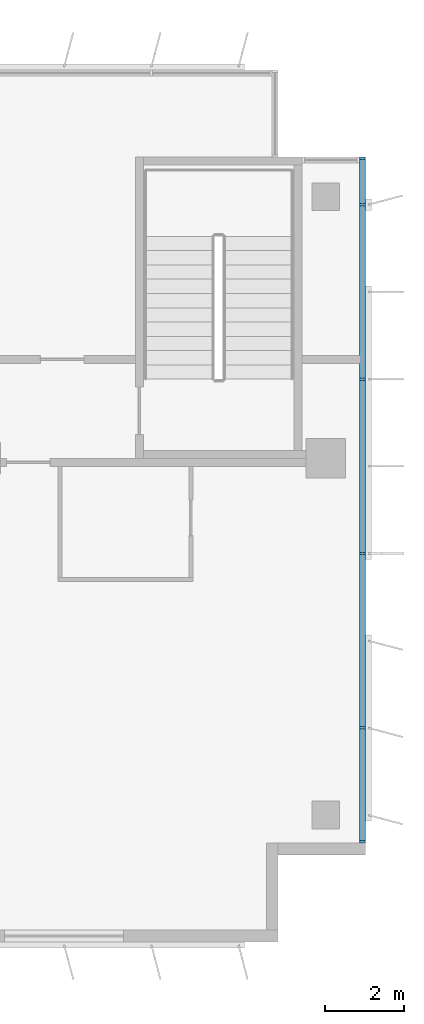
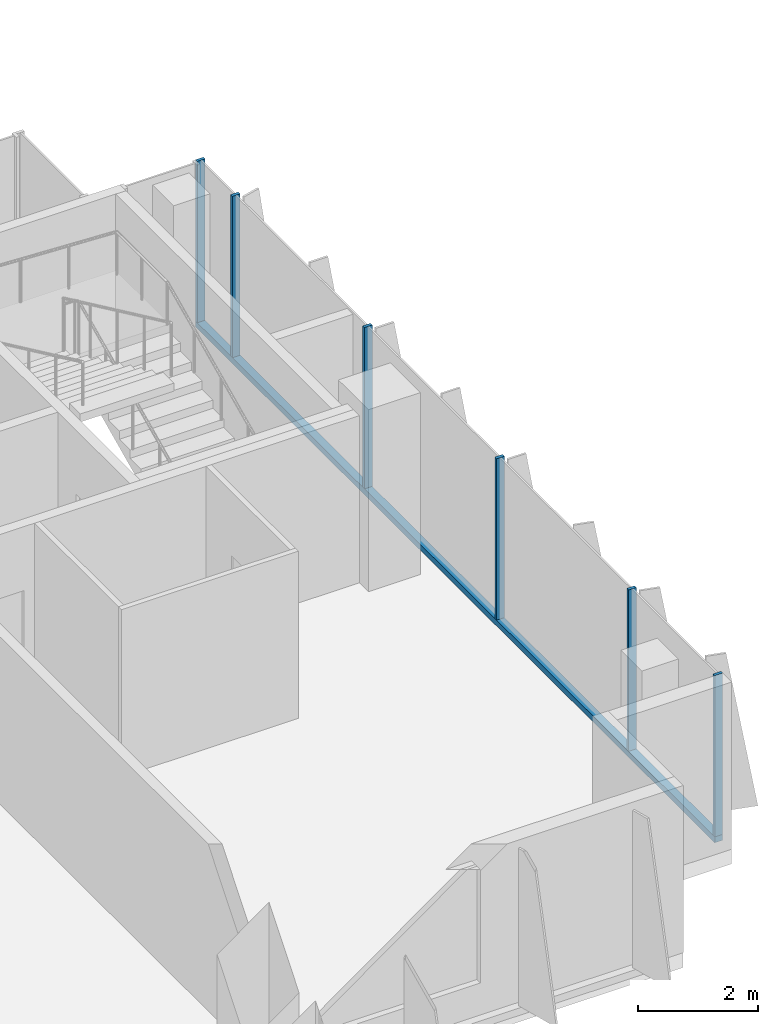
# One storey, part 8 of 21: 7 members, 1 element without a shape of its own.
"""IFC4 building model written with IfcOpenShell, lengths in metres."""

from ifc_helpers import new_model, si_unit, direction, frame, origin, origin_2d, place, context, subcontext, project, spatial, rectangle, extrude, source, transform, mapped, material, material_profile, profile_set, type_object, element, aggregate, save


model = new_model("IFC4")

# Units and contexts
model_context = context("Model", 3, precision=1e-05, world=origin(), true_north=direction((0.0, 1.0)))
body_context = subcontext(model_context, "Body", "Model", "MODEL_VIEW")
ifc_project = project(units=[si_unit("LENGTHUNIT", "METRE"), si_unit("AREAUNIT", "SQUARE_METRE"), si_unit("VOLUMEUNIT", "CUBIC_METRE"), si_unit("PLANEANGLEUNIT", "RADIAN"), si_unit("MASSUNIT", "GRAM", prefix="KILO")], contexts=[model_context])

# Site, building, storey
site_placement = place(None, origin())
site = spatial("IfcSite", under=ifc_project, at=site_placement, CompositionType="ELEMENT")
building_placement = place(site_placement, origin())
building = spatial("IfcBuilding", under=site, at=building_placement, Name="Kemantara Hotel Tower", CompositionType="ELEMENT")
storey_placement = place(building_placement, frame((0.0, 0.0, 167.89990234375)))
storey = spatial("IfcBuildingStorey", under=building, at=storey_placement, Name="L41", CompositionType="ELEMENT", Elevation=167.89990234375)

# Curtain wall, members
ifc_material_1 = material(Name="Low-E tinted double insulated glass 36 mm", Category="glass")
curtain_wall_type = type_object("IfcCurtainWallType", Name="TOWER CURTAIN WALL, FRONT FACES", PredefinedType="USERDEFINED", material=ifc_material_1)
curtain_wall_placement = place(storey_placement, origin())
curtain_wall = element("IfcCurtainWall", 1, at=curtain_wall_placement, inside=storey, type_object=curtain_wall_type, Name="CW4 L41 T3-R11-1", ObjectType="TOWER CURTAIN WALL, FRONT FACES", PredefinedType="USERDEFINED")
ifc_material_2 = material(Name="Aluminium 6063-T6 bronze anodised", Category="aluminium")
ifc_material_profile_1 = material_profile(ifc_material_2, rectangle(XDim=0.14990234375, YDim=0.1201171875, at=origin_2d()), Name="TOWER CURTAIN WALL, FRONT FACES TRANSOM")
ifc_profile_set_1 = profile_set([ifc_material_profile_1], Name="Aluminium 6063-T6 bronze anodised")
member_type_1 = type_object("IfcMemberType", Name="TOWER CURTAIN WALL, FRONT FACES TRANSOM", PredefinedType="USERDEFINED", material=ifc_profile_set_1)
member_1_placement = place(storey_placement, frame((63.52490234375, 2.5, 0.06005859375), z_axis=(0.0, 1.0, 0.0), x_axis=(-1.0, 0.0, 0.0)))
member_1 = element("IfcMember", 2, at=member_1_placement, type_object=member_type_1, Name="CW4 sill transom T3-R11-1", ObjectType="TRANSOM", PredefinedType="USERDEFINED", context=body_context, shape_type="SweptSolid", body=[
    extrude(rectangle(XDim=0.14990234375, YDim=0.1201171875, at=origin_2d()), origin(), (0.0, 0.0, 1.0), 17.300048828125),
])
ifc_material_profile_2 = material_profile(ifc_material_2, rectangle(XDim=0.14990234375, YDim=0.06005859375, at=origin_2d()), Name="TOWER CURTAIN WALL, FRONT FACES MULLION")
ifc_profile_set_2 = profile_set([ifc_material_profile_2], Name="Aluminium 6063-T6 bronze anodised")
member_type_2 = type_object("IfcMemberType", Name="TOWER CURTAIN WALL, FRONT FACES MULLION", PredefinedType="MULLION", material=ifc_profile_set_2)
shared_shape = source(origin(), body_context, "Body", "SweptSolid", [
    extrude(rectangle(XDim=0.14990234375, YDim=0.06005859375, at=origin_2d()), origin(), (0.0, 0.0, 1.0), 3.280029296875),
])
member_2_placement = place(storey_placement, frame((63.52490234375, 2.530029296875, 0.1201171875), z_axis=(0.0, 0.0, 1.0), x_axis=(-1.0, 0.0, 0.0)))
member_2 = element("IfcMember", 3, at=member_2_placement, type_object=member_type_2, Name="CW4 mullion T3-R11-1.1", PredefinedType="MULLION", context=body_context, shape_type="MappedRepresentation", body=[
    mapped(shared_shape, transform((0.0, 0.0, 0.0))),
])
member_3_placement = place(storey_placement, frame((63.52490234375, 5.39990234375, 0.1201171875), z_axis=(0.0, 0.0, 1.0), x_axis=(-1.0, 0.0, 0.0)))
member_3 = element("IfcMember", 4, at=member_3_placement, type_object=member_type_2, Name="CW4 mullion T3-R11-1.2", PredefinedType="MULLION", context=body_context, shape_type="MappedRepresentation", body=[
    mapped(shared_shape, transform((0.0, 0.0, 0.0))),
])
member_4_placement = place(storey_placement, frame((63.52490234375, 9.800048828125, 0.1201171875), z_axis=(0.0, 0.0, 1.0), x_axis=(-1.0, 0.0, 0.0)))
member_4 = element("IfcMember", 5, at=member_4_placement, type_object=member_type_2, Name="CW4 mullion T3-R11-1.3", PredefinedType="MULLION", context=body_context, shape_type="MappedRepresentation", body=[
    mapped(shared_shape, transform((0.0, 0.0, 0.0))),
])
member_5_placement = place(storey_placement, frame((63.52490234375, 14.199951171875, 0.1201171875), z_axis=(0.0, 0.0, 1.0), x_axis=(-1.0, 0.0, 0.0)))
member_5 = element("IfcMember", 6, at=member_5_placement, type_object=member_type_2, Name="CW4 mullion T3-R11-1.4", PredefinedType="MULLION", context=body_context, shape_type="MappedRepresentation", body=[
    mapped(shared_shape, transform((0.0, 0.0, 0.0))),
])
member_6_placement = place(storey_placement, frame((63.52490234375, 18.60009765625, 0.1201171875), z_axis=(0.0, 0.0, 1.0), x_axis=(-1.0, 0.0, 0.0)))
member_6 = element("IfcMember", 7, at=member_6_placement, type_object=member_type_2, Name="CW4 mullion T3-R11-1.5", PredefinedType="MULLION", context=body_context, shape_type="MappedRepresentation", body=[
    mapped(shared_shape, transform((0.0, 0.0, 0.0))),
])
member_7_placement = place(storey_placement, frame((63.52490234375, 19.77001953125, 0.1201171875), z_axis=(0.0, 0.0, 1.0), x_axis=(-1.0, 0.0, 0.0)))
member_7 = element("IfcMember", 8, at=member_7_placement, type_object=member_type_2, Name="CW4 mullion T3-R11-1.6", PredefinedType="MULLION", context=body_context, shape_type="MappedRepresentation", body=[
    mapped(shared_shape, transform((0.0, 0.0, 0.0))),
])
aggregate(curtain_wall, [member_1, member_2, member_3, member_4, member_5, member_6, member_7])

save(model, "model.ifc")
